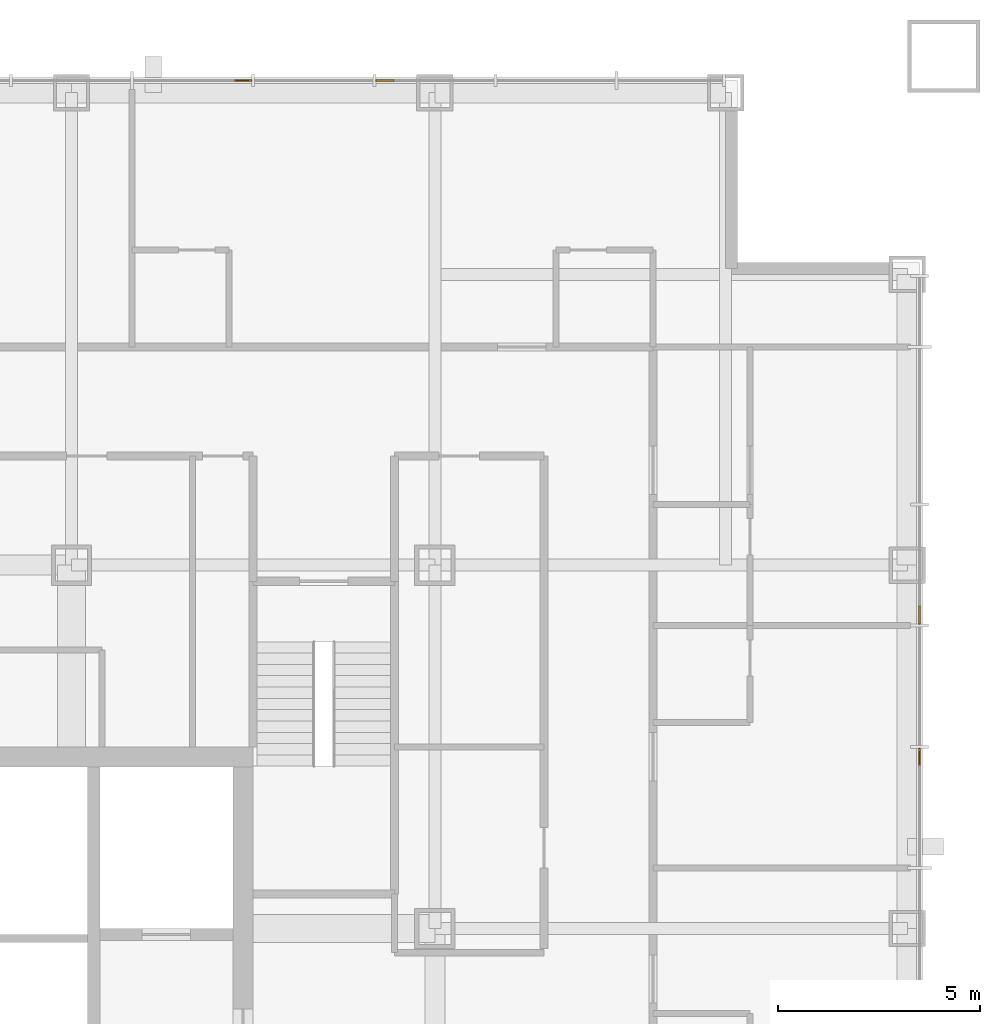
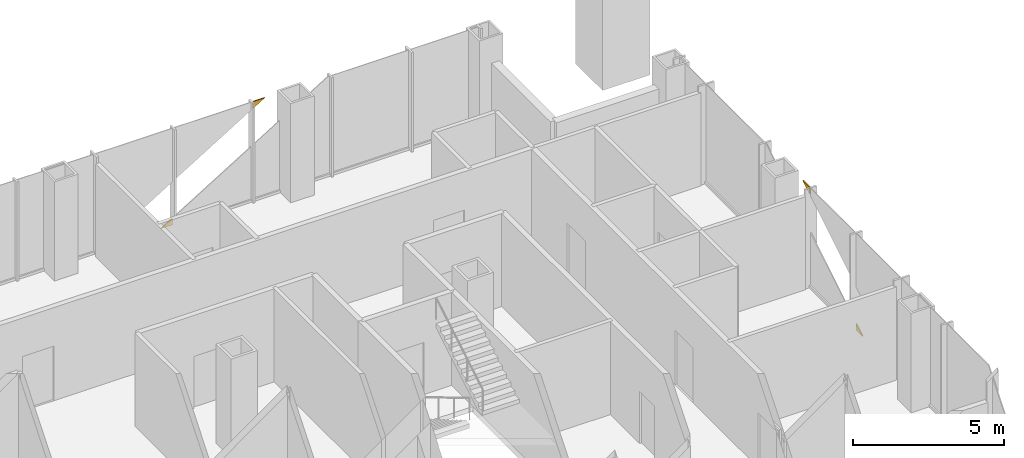
# One storey, part 17 of 17: 4 coverings.
"""IFC4 building model written with IfcOpenShell, lengths in metres."""

from ifc_helpers import new_model, si_unit, direction, frame, origin, place, context, subcontext, project, spatial, polyline, outline, extrude, material, layer, layer_set, type_object, element, save


model = new_model("IFC4")

# Units and contexts
model_context = context("Model", 3, precision=1e-05, world=origin(), true_north=direction((0.0, 1.0)))
body_context = subcontext(model_context, "Body", "Model", "MODEL_VIEW")
ifc_project = project(units=[si_unit("LENGTHUNIT", "METRE"), si_unit("AREAUNIT", "SQUARE_METRE"), si_unit("VOLUMEUNIT", "CUBIC_METRE"), si_unit("PLANEANGLEUNIT", "RADIAN"), si_unit("MASSUNIT", "GRAM", prefix="KILO")], contexts=[model_context])

# Site, building, storey
site_placement = place(None, origin())
site = spatial("IfcSite", under=ifc_project, at=site_placement, CompositionType="ELEMENT")
building_placement = place(site_placement, origin())
building = spatial("IfcBuilding", under=site, at=building_placement, Name="Malebo Sky Hospital", CompositionType="ELEMENT")
storey_placement = place(building_placement, frame((0.0, 0.0, 83.0)))
storey = spatial("IfcBuildingStorey", under=building, at=storey_placement, Name="L19", CompositionType="ELEMENT", Elevation=83.0)

# Coverings
ifc_material = material(Name="Anodised aluminium, natural silver insulated infill panel", Category="aluminium")
ifc_layer = layer(ifc_material, 0.0400390625)
ifc_layer_set = layer_set([ifc_layer], Name="BRACE INFILL PANEL 40")
covering_type = type_object("IfcCoveringType", Name="BRACE INFILL PANEL 40", PredefinedType="CLADDING", material=ifc_layer_set)
covering_1_placement = place(storey_placement, frame((68.75, 87.5, 0.10009765625), z_axis=(0.0, 0.0, 1.0), x_axis=(1.0, 0.0, 0.0)))
element("IfcCovering", 1, at=covering_1_placement, inside=storey, type_object=covering_type, Name="Brace infill panel 10.1", PredefinedType="CLADDING", context=body_context, shape_type="SweptSolid", body=[
    extrude(outline(polyline([(-0.212646484375, 0.0), (0.212646484375, 0.0), (0.212646484375, 0.2607421875), (-0.212646484375, 0.0)])), frame((0.0, 0.02001953125, 0.0), z_axis=(0.0, -1.0, 0.0), x_axis=(1.0, 0.0, 0.0)), (0.0, 0.0, 1.0), 0.0400390625),
])
covering_2_placement = place(storey_placement, frame((72.263427734375, 87.5, 3.713134765625), z_axis=(0.0, 0.0, 1.0), x_axis=(1.0, 0.0, 0.0)))
element("IfcCovering", 2, at=covering_2_placement, inside=storey, type_object=covering_type, Name="Brace infill panel 12.1", PredefinedType="CLADDING", context=body_context, shape_type="SweptSolid", body=[
    extrude(outline(polyline([(-0.225830078125, 0.0), (0.225830078125, 0.27685546875), (-0.225830078125, 0.27685546875), (-0.225830078125, 0.0)])), frame((0.0, 0.02001953125, 0.0), z_axis=(0.0, -1.0, 0.0), x_axis=(1.0, 0.0, 0.0)), (0.0, 0.0, 1.0), 0.0400390625),
])
covering_3_placement = place(storey_placement, frame((85.5, 74.263427734375, 3.713134765625), z_axis=(0.0, 0.0, 1.0), x_axis=(0.0, -1.0, 0.0)))
element("IfcCovering", 3, at=covering_3_placement, inside=storey, type_object=covering_type, Name="Brace infill panel 3.1", PredefinedType="CLADDING", context=body_context, shape_type="SweptSolid", body=[
    extrude(outline(polyline([(0.225830078125, 0.0), (0.225830078125, 0.27685546875), (-0.225830078125, 0.27685546875), (0.225830078125, 0.0)])), frame((0.0, 0.02001953125, 0.0), z_axis=(0.0, -1.0, 0.0), x_axis=(1.0, 0.0, 0.0)), (0.0, 0.0, 1.0), 0.0400390625),
])
covering_4_placement = place(storey_placement, frame((85.5, 70.75, 0.10009765625), z_axis=(0.0, 0.0, 1.0), x_axis=(0.0, -1.0, 0.0)))
element("IfcCovering", 4, at=covering_4_placement, inside=storey, type_object=covering_type, Name="Brace infill panel 5.1", PredefinedType="CLADDING", context=body_context, shape_type="SweptSolid", body=[
    extrude(outline(polyline([(-0.212646484375, 0.0), (0.212646484375, 0.0), (-0.212646484375, 0.2607421875), (-0.212646484375, 0.0)])), frame((0.0, 0.02001953125, 0.0), z_axis=(0.0, -1.0, 0.0), x_axis=(1.0, 0.0, 0.0)), (0.0, 0.0, 1.0), 0.0400390625),
])

save(model, "model.ifc")
